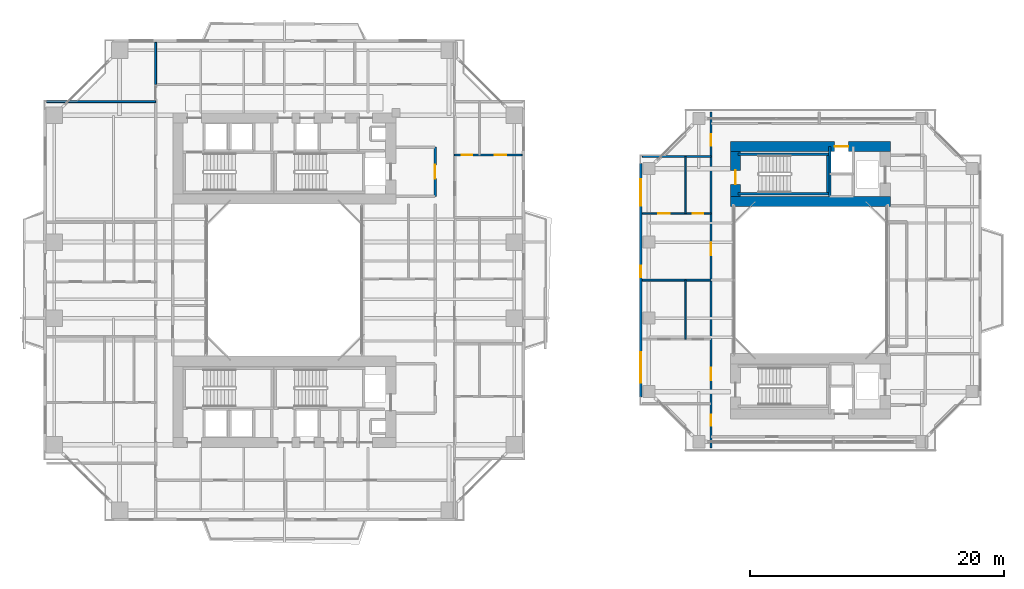
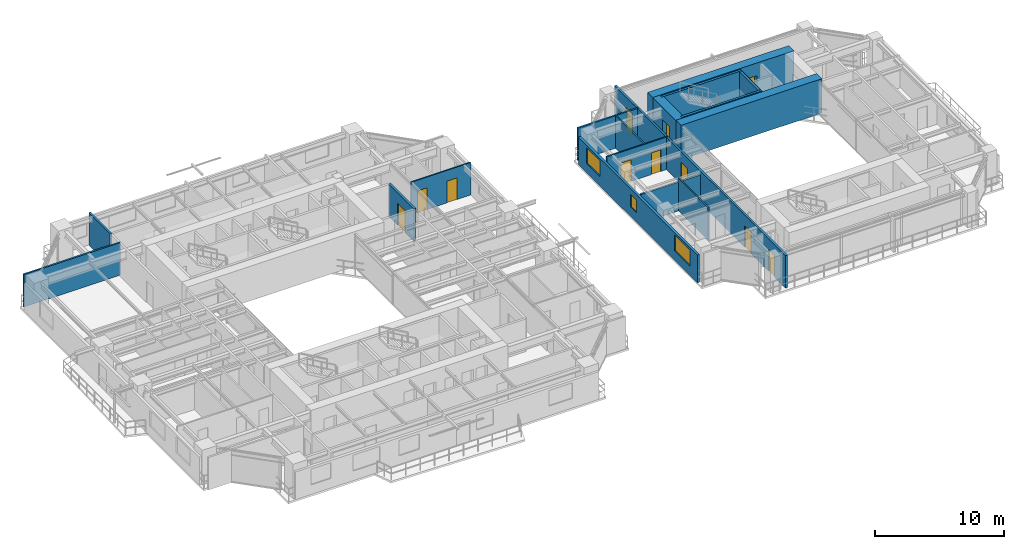
# One storey, part 16 of 24: 18 walls, 11 doors, 3 windows, 14 openings.
"""IFC4 building model written with IfcOpenShell, lengths in metres."""

from ifc_helpers import new_model, si_unit, direction, frame, frame_2d, origin, place, context, subcontext, project, spatial, rectangle, extrude, source, transform, mapped, material, layer, layer_set, type_object, element, fill, save


model = new_model("IFC4")

# Units and contexts
model_context = context("Model", 3, precision=1e-05, world=origin(), true_north=direction((0.0, 1.0)))
body_context = subcontext(model_context, "Body", "Model", "MODEL_VIEW")
ifc_project = project(units=[si_unit("LENGTHUNIT", "METRE"), si_unit("AREAUNIT", "SQUARE_METRE"), si_unit("VOLUMEUNIT", "CUBIC_METRE"), si_unit("PLANEANGLEUNIT", "RADIAN"), si_unit("MASSUNIT", "GRAM", prefix="KILO"), si_unit("THERMODYNAMICTEMPERATUREUNIT", "KELVIN"), si_unit("POWERUNIT", "WATT")], contexts=[model_context])

# Site, building, storey
site_placement = place(None, origin())
site = spatial("IfcSite", under=ifc_project, at=site_placement, CompositionType="ELEMENT")
building_placement = place(site_placement, origin())
building = spatial("IfcBuilding", under=site, at=building_placement, Name="Qiaomeng Ring Towers", CompositionType="ELEMENT")
storey_placement = place(building_placement, frame((0.0, 0.0, 36.0)))
storey = spatial("IfcBuildingStorey", under=building, at=storey_placement, Name="L09", CompositionType="ELEMENT", Elevation=36.0)

# Wall, openings, windows
ifc_material_1 = material(Name="Precast concrete C40", Category="concrete")
ifc_layer_1 = layer(ifc_material_1, 0.219970703125, Name="Precast concrete C40")
ifc_layer_set_1 = layer_set([ifc_layer_1], Name="Precast concrete C40")
wall_type_1 = type_object("IfcWallType", Name="ARC-WL-EW2", PredefinedType="STANDARD", material=ifc_layer_set_1)
wall_1_placement = place(storey_placement, frame((47.110107421875, 13.800048828125, 0.0), z_axis=(0.0, 0.0, 1.0), x_axis=(0.0, 1.0, 0.0)))
wall_1 = element("IfcWall", 1, at=wall_1_placement, inside=storey, type_object=wall_type_1, Name="L09 Companion West Wall", PredefinedType="STANDARD", context=body_context, shape_type="SweptSolid", body=[
    extrude(rectangle(XDim=18.39990234375, YDim=0.219970703125, at=frame_2d((9.199951171875, 0.0))), origin(), (0.0, 0.0, 1.0), 2.610107421875),
])
opening_1_placement = place(wall_1_placement, frame((1.10009765625, 0.0, 0.89990234375)))
opening_1 = element("IfcOpeningElement", 2, at=opening_1_placement, cuts=wall_1, Name="Opening WN6", PredefinedType="OPENING", context=body_context, shape_type="SweptSolid", body=[
    extrude(rectangle(XDim=2.39990234375, YDim=1.47998046875, at=frame_2d((1.199951171875, 0.739990234375))), frame((0.0, 0.119873046875, 0.0), z_axis=(0.0, -1.0, 0.0), x_axis=(1.0, 0.0, 0.0)), (0.0, 0.0, 1.0), 0.239990234375),
])
opening_2_placement = place(wall_1_placement, frame((15.050048828125, 0.0, 0.89990234375)))
opening_2 = element("IfcOpeningElement", 3, at=opening_2_placement, cuts=wall_1, Name="Opening WN4", PredefinedType="OPENING", context=body_context, shape_type="SweptSolid", body=[
    extrude(rectangle(XDim=2.10009765625, YDim=1.47998046875, at=frame_2d((1.050048828125, 0.739990234375))), frame((0.0, 0.119873046875, 0.0), z_axis=(0.0, -1.0, 0.0), x_axis=(1.0, 0.0, 0.0)), (0.0, 0.0, 1.0), 0.239990234375),
])
opening_3_placement = place(wall_1_placement, frame((9.43505859375, 0.0, 0.89990234375)))
opening_3 = element("IfcOpeningElement", 4, at=opening_3_placement, cuts=wall_1, Name="Opening WN5", PredefinedType="OPENING", context=body_context, shape_type="SweptSolid", body=[
    extrude(rectangle(XDim=0.89990234375, YDim=1.199951171875, at=frame_2d((0.449951171875, 0.60009765625))), frame((0.0, 0.119873046875, 0.0), z_axis=(0.0, -1.0, 0.0), x_axis=(1.0, 0.0, 0.0)), (0.0, 0.0, 1.0), 0.239990234375),
])
ifc_material_2 = material(Name="Low-E dark-grey laminated double glazing", Category="glass")
window_type_1 = type_object("IfcWindowType", Name="ARC-WN-4", PartitioningType="TRIPLE_PANEL_VERTICAL", PredefinedType="WINDOW", material=ifc_material_2)
shared_shape_1 = source(origin(), body_context, "Body", "SweptSolid", [
    extrude(rectangle(XDim=2.10009765625, YDim=1.47998046875, at=frame_2d((1.050048828125, 0.739990234375))), frame((0.0, 0.030029296875, 0.0), z_axis=(0.0, -1.0, 0.0), x_axis=(1.0, 0.0, 0.0)), (0.0, 0.0, 1.0), 0.06005859375),
])
window_1_placement = place(opening_2_placement, origin())
window_1 = element("IfcWindow", 5, at=window_1_placement, inside=storey, type_object=window_type_1, Name="L09 Exterior Window WN4", OverallHeight=1.47998046875, OverallWidth=2.10009765625, PartitioningType="TRIPLE_PANEL_VERTICAL", PredefinedType="WINDOW", context=body_context, shape_type="MappedRepresentation", body=[
    mapped(shared_shape_1, transform((0.0, 0.0, 0.0), x_axis=(1.0, 0.0, 0.0), y_axis=(0.0, 1.0, 0.0), z_axis=(0.0, 0.0, 1.0), scale=1.0)),
])
fill(opening_2, window_1)
window_type_2 = type_object("IfcWindowType", Name="ARC-WN-6", PartitioningType="TRIPLE_PANEL_VERTICAL", PredefinedType="WINDOW", material=ifc_material_2)
shared_shape_2 = source(origin(), body_context, "Body", "SweptSolid", [
    extrude(rectangle(XDim=2.39990234375, YDim=1.47998046875, at=frame_2d((1.199951171875, 0.739990234375))), frame((0.0, 0.030029296875, 0.0), z_axis=(0.0, -1.0, 0.0), x_axis=(1.0, 0.0, 0.0)), (0.0, 0.0, 1.0), 0.06005859375),
])
window_2_placement = place(opening_1_placement, origin())
window_2 = element("IfcWindow", 6, at=window_2_placement, inside=storey, type_object=window_type_2, Name="L09 Exterior Window WN6", OverallHeight=1.47998046875, OverallWidth=2.39990234375, PartitioningType="TRIPLE_PANEL_VERTICAL", PredefinedType="WINDOW", context=body_context, shape_type="MappedRepresentation", body=[
    mapped(shared_shape_2, transform((0.0, 0.0, 0.0), x_axis=(1.0, 0.0, 0.0), y_axis=(0.0, 1.0, 0.0), z_axis=(0.0, 0.0, 1.0), scale=1.0)),
])
fill(opening_1, window_2)
window_type_3 = type_object("IfcWindowType", Name="ARC-WN-5", PartitioningType="SINGLE_PANEL", PredefinedType="WINDOW", material=ifc_material_2)
shared_shape_3 = source(origin(), body_context, "Body", "SweptSolid", [
    extrude(rectangle(XDim=0.89990234375, YDim=1.199951171875, at=frame_2d((0.449951171875, 0.60009765625))), frame((0.0, 0.030029296875, 0.0), z_axis=(0.0, -1.0, 0.0), x_axis=(1.0, 0.0, 0.0)), (0.0, 0.0, 1.0), 0.06005859375),
])
window_3_placement = place(opening_3_placement, origin())
window_3 = element("IfcWindow", 7, at=window_3_placement, inside=storey, type_object=window_type_3, Name="L09 Exterior Window WN5", OverallHeight=1.199951171875, OverallWidth=0.89990234375, PartitioningType="SINGLE_PANEL", PredefinedType="WINDOW", context=body_context, shape_type="MappedRepresentation", body=[
    mapped(shared_shape_3, transform((0.0, 0.0, 0.0), x_axis=(1.0, 0.0, 0.0), y_axis=(0.0, 1.0, 0.0), z_axis=(0.0, 0.0, 1.0), scale=1.0)),
])
fill(opening_3, window_3)

# Wall, opening, door
ifc_material_3 = material(Name="Autoclaved aerated concrete block", Category="concrete")
ifc_layer_2 = layer(ifc_material_3, 0.199951171875, Name="Autoclaved aerated concrete block")
ifc_layer_set_2 = layer_set([ifc_layer_2], Name="Autoclaved aerated concrete block")
wall_type_2 = type_object("IfcWallType", Name="ARC-WL-PW1", PredefinedType="PARTITIONING", material=ifc_layer_set_2)
wall_2_placement = place(storey_placement, frame((30.89990234375, 29.60009765625, 0.0), z_axis=(0.0, 0.0, 1.0), x_axis=(0.0, 1.0, 0.0)))
wall_2 = element("IfcWall", 8, at=wall_2_placement, inside=storey, type_object=wall_type_2, Name="L09 Interior Wall PW1", PredefinedType="PARTITIONING", context=body_context, shape_type="SweptSolid", body=[
    extrude(rectangle(XDim=3.89990234375, YDim=0.199951171875, at=frame_2d((1.949951171875, 0.0))), origin(), (0.0, 0.0, 1.0), 3.070068359375),
])
opening_4_placement = place(wall_2_placement, frame((1.39990234375, 0.0, 0.0)))
opening_4 = element("IfcOpeningElement", 9, at=opening_4_placement, cuts=wall_2, Name="Opening FD3", PredefinedType="OPENING", context=body_context, shape_type="SweptSolid", body=[
    extrude(rectangle(XDim=1.10009765625, YDim=2.050048828125, at=frame_2d((0.550048828125, 1.02490234375))), frame((0.0, 0.10986328125, 0.0), z_axis=(0.0, -1.0, 0.0), x_axis=(1.0, 0.0, 0.0)), (0.0, 0.0, 1.0), 0.219970703125),
])
ifc_material_4 = material(Name="Galvanised steel", Category="steel")
door_type_1 = type_object("IfcDoorType", Name="ARC-DR-FD3", OperationType="NOTDEFINED", PredefinedType="DOOR", material=ifc_material_4)
shared_shape_4 = source(origin(), body_context, "Body", "SweptSolid", [
    extrude(rectangle(XDim=1.10009765625, YDim=2.050048828125, at=frame_2d((0.550048828125, 1.02490234375))), frame((0.0, 0.02490234375, 0.0), z_axis=(0.0, -1.0, 0.0), x_axis=(1.0, 0.0, 0.0)), (0.0, 0.0, 1.0), 0.050048828125),
])
door_1_placement = place(opening_4_placement, origin())
door_1 = element("IfcDoor", 10, at=door_1_placement, inside=storey, type_object=door_type_1, Name="L09 North FF Lobby Door", OperationType="SINGLE_SWING_RIGHT", OverallHeight=2.050048828125, OverallWidth=1.10009765625, PredefinedType="DOOR", context=body_context, shape_type="MappedRepresentation", body=[
    mapped(shared_shape_4, transform((0.0, 0.0, 0.0), x_axis=(1.0, 0.0, 0.0), y_axis=(0.0, 1.0, 0.0), z_axis=(0.0, 0.0, 1.0), scale=1.0)),
])
fill(opening_4, door_1)

# Wall, openings, doors
ifc_layer_3 = layer(ifc_material_3, 0.179931640625, Name="Autoclaved aerated concrete block")
ifc_layer_set_3 = layer_set([ifc_layer_3], Name="Autoclaved aerated concrete block")
wall_type_3 = type_object("IfcWallType", Name="ARC-WL-PW2", PredefinedType="PARTITIONING", material=ifc_layer_set_3)
wall_3_placement = place(storey_placement, frame((52.64990234375, 9.75, 0.0), z_axis=(0.0, 0.0, 1.0), x_axis=(0.0, 1.0, 0.0)))
wall_3 = element("IfcWall", 11, at=wall_3_placement, inside=storey, type_object=wall_type_3, Name="L09 Interior Wall PW2", PredefinedType="PARTITIONING", context=body_context, shape_type="SweptSolid", body=[
    extrude(rectangle(XDim=26.5, YDim=0.179931640625, at=frame_2d((13.25, 0.0))), origin(), (0.0, 0.0, 1.0), 3.070068359375),
])
opening_5_placement = place(wall_3_placement, frame((23.85009765625, 0.0, 0.0)))
opening_5 = element("IfcOpeningElement", 12, at=opening_5_placement, cuts=wall_3, Name="Opening ID1", PredefinedType="OPENING", context=body_context, shape_type="SweptSolid", body=[
    extrude(rectangle(XDim=0.89990234375, YDim=2.050048828125, at=frame_2d((0.449951171875, 1.02490234375))), frame((0.0, 0.099853515625, 0.0), z_axis=(0.0, -1.0, 0.0), x_axis=(1.0, 0.0, 0.0)), (0.0, 0.0, 1.0), 0.199951171875),
])
opening_6_placement = place(wall_3_placement, frame((1.75, 0.0, 0.0)))
opening_6 = element("IfcOpeningElement", 13, at=opening_6_placement, cuts=wall_3, Name="Opening ID1", PredefinedType="OPENING", context=body_context, shape_type="SweptSolid", body=[
    extrude(rectangle(XDim=0.89990234375, YDim=2.050048828125, at=frame_2d((0.449951171875, 1.02490234375))), frame((0.0, 0.099853515625, 0.0), z_axis=(0.0, -1.0, 0.0), x_axis=(1.0, 0.0, 0.0)), (0.0, 0.0, 1.0), 0.199951171875),
])
opening_7_placement = place(wall_3_placement, frame((5.35498046875, 0.0, 0.0)))
opening_7 = element("IfcOpeningElement", 14, at=opening_7_placement, cuts=wall_3, Name="Opening FD4", PredefinedType="OPENING", context=body_context, shape_type="SweptSolid", body=[
    extrude(rectangle(XDim=1.0, YDim=2.050048828125, at=frame_2d((0.5, 1.02490234375))), frame((0.0, 0.099853515625, 0.0), z_axis=(0.0, -1.0, 0.0), x_axis=(1.0, 0.0, 0.0)), (0.0, 0.0, 1.0), 0.199951171875),
])
opening_8_placement = place(wall_3_placement, frame((15.195068359375, 0.0, 0.0)))
opening_8 = element("IfcOpeningElement", 15, at=opening_8_placement, cuts=wall_3, Name="Opening FD4", PredefinedType="OPENING", context=body_context, shape_type="SweptSolid", body=[
    extrude(rectangle(XDim=1.0, YDim=2.050048828125, at=frame_2d((0.5, 1.02490234375))), frame((0.0, 0.099853515625, 0.0), z_axis=(0.0, -1.0, 0.0), x_axis=(1.0, 0.0, 0.0)), (0.0, 0.0, 1.0), 0.199951171875),
])
ifc_material_5 = material(Name="Engineered fire-rated oak timber", Category="wood")
door_type_2 = type_object("IfcDoorType", Name="ARC-DR-FD4", OperationType="NOTDEFINED", PredefinedType="DOOR", material=ifc_material_5)
shared_shape_5 = source(origin(), body_context, "Body", "SweptSolid", [
    extrude(rectangle(XDim=1.0, YDim=2.050048828125, at=frame_2d((0.5, 1.02490234375))), frame((0.0, 0.02490234375, 0.0), z_axis=(0.0, -1.0, 0.0), x_axis=(1.0, 0.0, 0.0)), (0.0, 0.0, 1.0), 0.050048828125),
])
door_2_placement = place(opening_7_placement, origin())
door_2 = element("IfcDoor", 16, at=door_2_placement, inside=storey, type_object=door_type_2, Name="L09 Door FD4", OperationType="SINGLE_SWING_LEFT", OverallHeight=2.050048828125, OverallWidth=1.0, PredefinedType="DOOR", context=body_context, shape_type="MappedRepresentation", body=[
    mapped(shared_shape_5, transform((0.0, 0.0, 0.0), x_axis=(1.0, 0.0, 0.0), y_axis=(0.0, 1.0, 0.0), z_axis=(0.0, 0.0, 1.0), scale=1.0)),
])
fill(opening_7, door_2)
door_3_placement = place(opening_8_placement, origin())
door_3 = element("IfcDoor", 17, at=door_3_placement, inside=storey, type_object=door_type_2, Name="L09 Door FD4", OperationType="SINGLE_SWING_RIGHT", OverallHeight=2.050048828125, OverallWidth=1.0, PredefinedType="DOOR", context=body_context, shape_type="MappedRepresentation", body=[
    mapped(shared_shape_5, transform((0.0, 0.0, 0.0), x_axis=(1.0, 0.0, 0.0), y_axis=(0.0, 1.0, 0.0), z_axis=(0.0, 0.0, 1.0), scale=1.0)),
])
fill(opening_8, door_3)
ifc_material_6 = material(Name="Engineered oak timber", Category="wood")
door_type_3 = type_object("IfcDoorType", Name="ARC-DR-ID1", OperationType="NOTDEFINED", PredefinedType="DOOR", material=ifc_material_6)
shared_shape_6 = source(origin(), body_context, "Body", "SweptSolid", [
    extrude(rectangle(XDim=0.89990234375, YDim=2.050048828125, at=frame_2d((0.449951171875, 1.02490234375))), frame((0.0, 0.02490234375, 0.0), z_axis=(0.0, -1.0, 0.0), x_axis=(1.0, 0.0, 0.0)), (0.0, 0.0, 1.0), 0.050048828125),
])
door_4_placement = place(opening_5_placement, origin())
door_4 = element("IfcDoor", 18, at=door_4_placement, inside=storey, type_object=door_type_3, Name="L09 Door ID1", OperationType="SINGLE_SWING_LEFT", OverallHeight=2.050048828125, OverallWidth=0.89990234375, PredefinedType="DOOR", context=body_context, shape_type="MappedRepresentation", body=[
    mapped(shared_shape_6, transform((0.0, 0.0, 0.0), x_axis=(1.0, 0.0, 0.0), y_axis=(0.0, 1.0, 0.0), z_axis=(0.0, 0.0, 1.0), scale=1.0)),
])
fill(opening_5, door_4)
door_5_placement = place(opening_6_placement, origin())
door_5 = element("IfcDoor", 19, at=door_5_placement, inside=storey, type_object=door_type_3, Name="L09 Door ID1", OperationType="SINGLE_SWING_RIGHT", OverallHeight=2.050048828125, OverallWidth=0.89990234375, PredefinedType="DOOR", context=body_context, shape_type="MappedRepresentation", body=[
    mapped(shared_shape_6, transform((0.0, 0.0, 0.0), x_axis=(1.0, 0.0, 0.0), y_axis=(0.0, 1.0, 0.0), z_axis=(0.0, 0.0, 1.0), scale=1.0)),
])
fill(opening_6, door_5)

# Walls
ifc_material_7 = material(Name="Gypsum fireboard steel-stud partition", Category="steel")
ifc_layer_4 = layer(ifc_material_7, 0.14990234375, Name="Gypsum fireboard steel-stud partition")
ifc_layer_set_4 = layer_set([ifc_layer_4], Name="Gypsum fireboard steel-stud partition")
wall_type_4 = type_object("IfcWallType", Name="ARC-WL-PW3", PredefinedType="PARTITIONING", material=ifc_layer_set_4)
wall_4_placement = place(storey_placement, frame((8.85009765625, 38.43994140625, 0.0), z_axis=(0.0, 0.0, 1.0), x_axis=(0.0, 1.0, 0.0)))
element("IfcWall", 20, at=wall_4_placement, inside=storey, type_object=wall_type_4, Name="L09 Interior Wall PW3", PredefinedType="PARTITIONING", context=body_context, shape_type="SweptSolid", body=[
    extrude(rectangle(XDim=3.31005859375, YDim=0.14990234375, at=frame_2d((1.655029296875, 0.0))), origin(), (0.0, 0.0, 1.0), 3.070068359375),
])
wall_5_placement = place(storey_placement, frame((0.25, 37.080078125, 0.0), z_axis=(0.0, 0.0, 1.0), x_axis=(1.0, 0.0, 0.0)))
element("IfcWall", 21, at=wall_5_placement, inside=storey, type_object=wall_type_4, Name="L09 Interior Wall PW3", PredefinedType="PARTITIONING", context=body_context, shape_type="SweptSolid", body=[
    extrude(rectangle(XDim=8.60009765625, YDim=0.14990234375, at=frame_2d((4.300048828125, 0.0))), origin(), (0.0, 0.0, 1.0), 3.070068359375),
])
wall_6_placement = place(storey_placement, frame((47.25, 32.75, 0.0), z_axis=(0.0, 0.0, 1.0), x_axis=(1.0, 0.0, 0.0)))
element("IfcWall", 22, at=wall_6_placement, inside=storey, type_object=wall_type_4, Name="L09 Interior Wall PW3", PredefinedType="PARTITIONING", context=body_context, shape_type="SweptSolid", body=[
    extrude(rectangle(XDim=5.39990234375, YDim=0.14990234375, at=frame_2d((2.699951171875, 0.0))), origin(), (0.0, 0.0, 1.0), 3.070068359375),
])
wall_7_placement = place(storey_placement, frame((47.25, 23.0, 0.0), z_axis=(0.0, 0.0, 1.0), x_axis=(1.0, 0.0, 0.0)))
element("IfcWall", 23, at=wall_7_placement, inside=storey, type_object=wall_type_4, Name="L09 Interior Wall PW3", PredefinedType="PARTITIONING", context=body_context, shape_type="SweptSolid", body=[
    extrude(rectangle(XDim=5.39990234375, YDim=0.14990234375, at=frame_2d((2.699951171875, 0.0))), origin(), (0.0, 0.0, 1.0), 2.715087890625),
])

# Wall, openings, doors
ifc_material_8 = material(Name="Moisture-resistant gypsum steel-stud partition", Category="steel")
ifc_layer_5 = layer(ifc_material_8, 0.1201171875, Name="Moisture-resistant gypsum steel-stud partition")
ifc_layer_set_5 = layer_set([ifc_layer_5], Name="Moisture-resistant gypsum steel-stud partition")
wall_type_5 = type_object("IfcWallType", Name="ARC-WL-PW4", PredefinedType="PLUMBINGWALL", material=ifc_layer_set_5)
wall_8_placement = place(storey_placement, frame((32.419921875, 32.8701171875, 0.0), z_axis=(0.0, 0.0, 1.0), x_axis=(1.0, 0.0, 0.0)))
wall_8 = element("IfcWall", 24, at=wall_8_placement, inside=storey, type_object=wall_type_5, Name="L09 Interior Wall PW4", PredefinedType="PLUMBINGWALL", context=body_context, shape_type="SweptSolid", body=[
    extrude(rectangle(XDim=5.330078125, YDim=0.1201171875, at=frame_2d((2.6650390625, 0.0))), origin(), (0.0, 0.0, 1.0), 3.070068359375),
])
opening_9_placement = place(wall_8_placement, frame((0.570068359375, 0.0, 0.0)))
opening_9 = element("IfcOpeningElement", 25, at=opening_9_placement, cuts=wall_8, Name="Opening ID2", PredefinedType="OPENING", context=body_context, shape_type="SweptSolid", body=[
    extrude(rectangle(XDim=0.85009765625, YDim=2.050048828125, at=frame_2d((0.425048828125, 1.02490234375))), frame((0.0, 0.070068359375, 0.0), z_axis=(0.0, -1.0, 0.0), x_axis=(1.0, 0.0, 0.0)), (0.0, 0.0, 1.0), 0.14013671875),
])
opening_10_placement = place(wall_8_placement, frame((3.18994140625, 0.0, 0.0)))
opening_10 = element("IfcOpeningElement", 26, at=opening_10_placement, cuts=wall_8, Name="Opening ID1", PredefinedType="OPENING", context=body_context, shape_type="SweptSolid", body=[
    extrude(rectangle(XDim=0.89990234375, YDim=2.050048828125, at=frame_2d((0.449951171875, 1.02490234375))), frame((0.0, 0.070068359375, 0.0), z_axis=(0.0, -1.0, 0.0), x_axis=(1.0, 0.0, 0.0)), (0.0, 0.0, 1.0), 0.14013671875),
])
ifc_material_9 = material(Name="Moisture-resistant engineered timber", Category="wood")
door_type_4 = type_object("IfcDoorType", Name="ARC-DR-ID2", OperationType="NOTDEFINED", PredefinedType="DOOR", material=ifc_material_9)
shared_shape_7 = source(origin(), body_context, "Body", "SweptSolid", [
    extrude(rectangle(XDim=0.85009765625, YDim=2.050048828125, at=frame_2d((0.425048828125, 1.02490234375))), frame((0.0, 0.02490234375, 0.0), z_axis=(0.0, -1.0, 0.0), x_axis=(1.0, 0.0, 0.0)), (0.0, 0.0, 1.0), 0.050048828125),
])
door_6_placement = place(opening_9_placement, origin())
door_6 = element("IfcDoor", 27, at=door_6_placement, inside=storey, type_object=door_type_4, Name="L09 Door ID2", OperationType="SINGLE_SWING_LEFT", OverallHeight=2.050048828125, OverallWidth=0.85009765625, PredefinedType="DOOR", context=body_context, shape_type="MappedRepresentation", body=[
    mapped(shared_shape_7, transform((0.0, 0.0, 0.0), x_axis=(1.0, 0.0, 0.0), y_axis=(0.0, 1.0, 0.0), z_axis=(0.0, 0.0, 1.0), scale=1.0)),
])
fill(opening_9, door_6)
door_7_placement = place(opening_10_placement, origin())
door_7 = element("IfcDoor", 28, at=door_7_placement, inside=storey, type_object=door_type_3, Name="L09 Door ID1", OperationType="SINGLE_SWING_RIGHT", OverallHeight=2.050048828125, OverallWidth=0.89990234375, PredefinedType="DOOR", context=body_context, shape_type="MappedRepresentation", body=[
    mapped(shared_shape_6, transform((0.0, 0.0, 0.0), x_axis=(1.0, 0.0, 0.0), y_axis=(0.0, 1.0, 0.0), z_axis=(0.0, 0.0, 1.0), scale=1.0)),
])
fill(opening_10, door_7)

# Wall
wall_9_placement = place(storey_placement, frame((50.64990234375, 18.340087890625, 0.0), z_axis=(0.0, 0.0, 1.0), x_axis=(0.0, 1.0, 0.0)))
element("IfcWall", 29, at=wall_9_placement, inside=storey, type_object=wall_type_5, Name="L09 Interior Wall PW4", PredefinedType="PLUMBINGWALL", context=body_context, shape_type="SweptSolid", body=[
    extrude(rectangle(XDim=4.659912109375, YDim=0.1201171875, at=frame_2d((2.330078125, 0.0))), origin(), (0.0, 0.0, 1.0), 3.070068359375),
])

# Wall, openings, doors
wall_10_placement = place(storey_placement, frame((47.25, 28.27001953125, 0.0), z_axis=(0.0, 0.0, 1.0), x_axis=(1.0, 0.0, 0.0)))
wall_10 = element("IfcWall", 30, at=wall_10_placement, inside=storey, type_object=wall_type_5, Name="L09 Interior Wall PW4", PredefinedType="PLUMBINGWALL", context=body_context, shape_type="SweptSolid", body=[
    extrude(rectangle(XDim=5.39990234375, YDim=0.1201171875, at=frame_2d((2.699951171875, 0.0))), origin(), (0.0, 0.0, 1.0), 3.070068359375),
])
opening_11_placement = place(wall_10_placement, frame((1.260009765625, 0.0, 0.0)))
opening_11 = element("IfcOpeningElement", 31, at=opening_11_placement, cuts=wall_10, Name="Opening ID1", PredefinedType="OPENING", context=body_context, shape_type="SweptSolid", body=[
    extrude(rectangle(XDim=0.89990234375, YDim=2.050048828125, at=frame_2d((0.449951171875, 1.02490234375))), frame((0.0, 0.070068359375, 0.0), z_axis=(0.0, -1.0, 0.0), x_axis=(1.0, 0.0, 0.0)), (0.0, 0.0, 1.0), 0.14013671875),
])
opening_12_placement = place(wall_10_placement, frame((3.965087890625, 0.0, 0.0)))
opening_12 = element("IfcOpeningElement", 32, at=opening_12_placement, cuts=wall_10, Name="Opening ID2", PredefinedType="OPENING", context=body_context, shape_type="SweptSolid", body=[
    extrude(rectangle(XDim=0.85009765625, YDim=2.050048828125, at=frame_2d((0.425048828125, 1.02490234375))), frame((0.0, 0.070068359375, 0.0), z_axis=(0.0, -1.0, 0.0), x_axis=(1.0, 0.0, 0.0)), (0.0, 0.0, 1.0), 0.14013671875),
])
door_8_placement = place(opening_12_placement, origin())
door_8 = element("IfcDoor", 33, at=door_8_placement, inside=storey, type_object=door_type_4, Name="L09 Door ID2", OperationType="SINGLE_SWING_RIGHT", OverallHeight=2.050048828125, OverallWidth=0.85009765625, PredefinedType="DOOR", context=body_context, shape_type="MappedRepresentation", body=[
    mapped(shared_shape_7, transform((0.0, 0.0, 0.0), x_axis=(1.0, 0.0, 0.0), y_axis=(0.0, 1.0, 0.0), z_axis=(0.0, 0.0, 1.0), scale=1.0)),
])
fill(opening_12, door_8)
door_9_placement = place(opening_11_placement, origin())
door_9 = element("IfcDoor", 34, at=door_9_placement, inside=storey, type_object=door_type_3, Name="L09 Door ID1", OperationType="SINGLE_SWING_LEFT", OverallHeight=2.050048828125, OverallWidth=0.89990234375, PredefinedType="DOOR", context=body_context, shape_type="MappedRepresentation", body=[
    mapped(shared_shape_6, transform((0.0, 0.0, 0.0), x_axis=(1.0, 0.0, 0.0), y_axis=(0.0, 1.0, 0.0), z_axis=(0.0, 0.0, 1.0), scale=1.0)),
])
fill(opening_11, door_9)

# Walls
wall_11_placement = place(storey_placement, frame((50.64990234375, 28.27001953125, 0.0), z_axis=(0.0, 0.0, 1.0), x_axis=(0.0, 1.0, 0.0)))
element("IfcWall", 35, at=wall_11_placement, inside=storey, type_object=wall_type_5, Name="L09 Interior Wall PW4", PredefinedType="PLUMBINGWALL", context=body_context, shape_type="SweptSolid", body=[
    extrude(rectangle(XDim=4.47998046875, YDim=0.1201171875, at=frame_2d((2.239990234375, 0.0))), origin(), (0.0, 0.0, 1.0), 3.070068359375),
])
ifc_material_10 = material(Name="Concrete C40", Category="concrete")
ifc_layer_6 = layer(ifc_material_10, 0.199951171875, Name="Concrete C40")
ifc_layer_set_6 = layer_set([ifc_layer_6], Name="Concrete C40")
wall_type_6 = type_object("IfcWallType", Name="STR-WL-STSHAFT", PredefinedType="SHEAR", material=ifc_layer_set_6)
wall_12_placement = place(storey_placement, frame((62.02001953125, 29.60009765625, 0.0), z_axis=(0.0, 0.0, 1.0), x_axis=(0.0, 1.0, 0.0)))
element("IfcWall", 36, at=wall_12_placement, inside=storey, type_object=wall_type_6, Name="L09 Companion Lift Shaft West Wall N", PredefinedType="SHEAR", context=body_context, shape_type="SweptSolid", body=[
    extrude(rectangle(XDim=3.949951171875, YDim=0.179931640625, at=frame_2d((1.97509765625, 0.0))), origin(), (0.0, 0.0, 1.0), 3.070068359375),
])
for number, where, z_axis, x_axis, name in (
    (37, (54.800048828125, 29.800048828125, 0.0), (0.0, 0.0, 1.0), (1.0, 0.0, 0.0), "L09 Stair ST5 South Shaft Shear Wall"),
    (38, (54.800048828125, 32.93994140625, 0.0), (0.0, 0.0, 1.0), (1.0, 0.0, 0.0), "L09 Stair ST5 North Shaft Shear Wall"),
):
    element("IfcWall", number, at=place(storey_placement, frame(where, z_axis=z_axis, x_axis=x_axis)), inside=storey, type_object=wall_type_6, Name=name, PredefinedType="SHEAR", context=body_context, shape_type="SweptSolid", body=[
        extrude(rectangle(XDim=7.14990234375, YDim=0.199951171875, at=frame_2d((3.574951171875, 0.0))), origin(), (0.0, 0.0, 1.0), 3.25),
    ])
wall_13_placement = place(storey_placement, frame((61.85009765625, 29.89990234375, 0.0), z_axis=(0.0, 0.0, 1.0), x_axis=(0.0, 1.0, 0.0)))
element("IfcWall", 39, at=wall_13_placement, inside=storey, type_object=wall_type_6, Name="L09 Stair ST5 East Shaft Shear Wall", PredefinedType="SHEAR", context=body_context, shape_type="SweptSolid", body=[
    extrude(rectangle(XDim=2.940185546875, YDim=0.199951171875, at=frame_2d((1.47021484375, 0.0))), origin(), (0.0, 0.0, 1.0), 3.25),
])
ifc_material_11 = material(Name="Concrete C60", Category="concrete")
ifc_layer_7 = layer(ifc_material_11, 0.800048828125, Name="Concrete C60")
ifc_layer_set_7 = layer_set([ifc_layer_7], Name="Concrete C60")
wall_type_7 = type_object("IfcWallType", Name="STR-WL-SW1", PredefinedType="SHEAR", material=ifc_layer_set_7)
wall_14_placement = place(storey_placement, frame((54.199951171875, 29.199951171875, 0.0), z_axis=(0.0, 0.0, 1.0), x_axis=(1.0, 0.0, 0.0)))
element("IfcWall", 40, at=wall_14_placement, inside=storey, type_object=wall_type_7, Name="L09 T2NC south core shear wall", PredefinedType="SHEAR", context=body_context, shape_type="SweptSolid", body=[
    extrude(rectangle(XDim=12.60009765625, YDim=0.800048828125, at=frame_2d((6.300048828125, 0.0))), origin(), (0.0, 0.0, 1.0), 3.25),
])

# Wall, opening, door
wall_15_placement = place(storey_placement, frame((54.199951171875, 33.550048828125, 0.0), z_axis=(0.0, 0.0, 1.0), x_axis=(1.0, 0.0, 0.0)))
wall_15 = element("IfcWall", 41, at=wall_15_placement, inside=storey, type_object=wall_type_7, Name="L09 T2NC north core shear wall", PredefinedType="SHEAR", context=body_context, shape_type="SweptSolid", body=[
    extrude(rectangle(XDim=12.60009765625, YDim=0.800048828125, at=frame_2d((6.300048828125, 0.0))), origin(), (0.0, 0.0, 1.0), 3.25),
])
opening_13_placement = place(wall_15_placement, frame((8.199951171875, 0.0, 0.0)))
opening_13 = element("IfcOpeningElement", 42, at=opening_13_placement, cuts=wall_15, Name="Opening LD1", PredefinedType="OPENING", context=body_context, shape_type="SweptSolid", body=[
    extrude(rectangle(XDim=1.10009765625, YDim=2.050048828125, at=frame_2d((0.550048828125, 1.02490234375))), frame((0.0, 0.409912109375, 0.0), z_axis=(0.0, -1.0, 0.0), x_axis=(1.0, 0.0, 0.0)), (0.0, 0.0, 1.0), 0.820068359375),
])
ifc_material_12 = material(Name="Stainless steel 316", Category="steel")
door_type_5 = type_object("IfcDoorType", Name="ARC-DR-LD1", OperationType="NOTDEFINED", PredefinedType="DOOR", material=ifc_material_12)
door_10_placement = place(opening_13_placement, origin())
door_10 = element("IfcDoor", 43, at=door_10_placement, inside=storey, type_object=door_type_5, Name="L09 Companion Lift LP7 Landing Door", OperationType="SLIDING_TO_LEFT", OverallHeight=2.050048828125, OverallWidth=1.10009765625, PredefinedType="DOOR", context=body_context, shape_type="MappedRepresentation", body=[
    mapped(shared_shape_4, transform((0.0, 0.0, 0.0), x_axis=(1.0, 0.0, 0.0), y_axis=(0.0, 1.0, 0.0), z_axis=(0.0, 0.0, 1.0), scale=1.0)),
])
fill(opening_13, door_10)

wall_16_placement = place(storey_placement, frame((54.60009765625, 29.60009765625, 0.0), z_axis=(0.0, 0.0, 1.0), x_axis=(0.0, 1.0, 0.0)))
wall_16 = element("IfcWall", 44, at=wall_16_placement, inside=storey, type_object=wall_type_7, Name="L09 T2NC west core shear wall", PredefinedType="SHEAR", context=body_context, shape_type="SweptSolid", body=[
    extrude(rectangle(XDim=3.5498046875, YDim=0.800048828125, at=frame_2d((1.77490234375, 0.0))), origin(), (0.0, 0.0, 1.0), 3.25),
])
opening_14_placement = place(wall_16_placement, frame((0.949951171875, 0.0, 0.0)))
opening_14 = element("IfcOpeningElement", 45, at=opening_14_placement, cuts=wall_16, Name="Opening FD3", PredefinedType="OPENING", context=body_context, shape_type="SweptSolid", body=[
    extrude(rectangle(XDim=1.10009765625, YDim=2.050048828125, at=frame_2d((0.550048828125, 1.02490234375))), frame((0.0, 0.409912109375, 0.0), z_axis=(0.0, -1.0, 0.0), x_axis=(1.0, 0.0, 0.0)), (0.0, 0.0, 1.0), 0.820068359375),
])
door_11_placement = place(opening_14_placement, origin())
door_11 = element("IfcDoor", 46, at=door_11_placement, inside=storey, type_object=door_type_1, Name="L09 Stair ST5 Exit Door", OperationType="SINGLE_SWING_RIGHT", OverallHeight=2.050048828125, OverallWidth=1.10009765625, PredefinedType="DOOR", context=body_context, shape_type="MappedRepresentation", body=[
    mapped(shared_shape_4, transform((0.0, 0.0, 0.0), x_axis=(1.0, 0.0, 0.0), y_axis=(0.0, 1.0, 0.0), z_axis=(0.0, 0.0, 1.0), scale=1.0)),
])
fill(opening_14, door_11)

save(model, "model.ifc")
